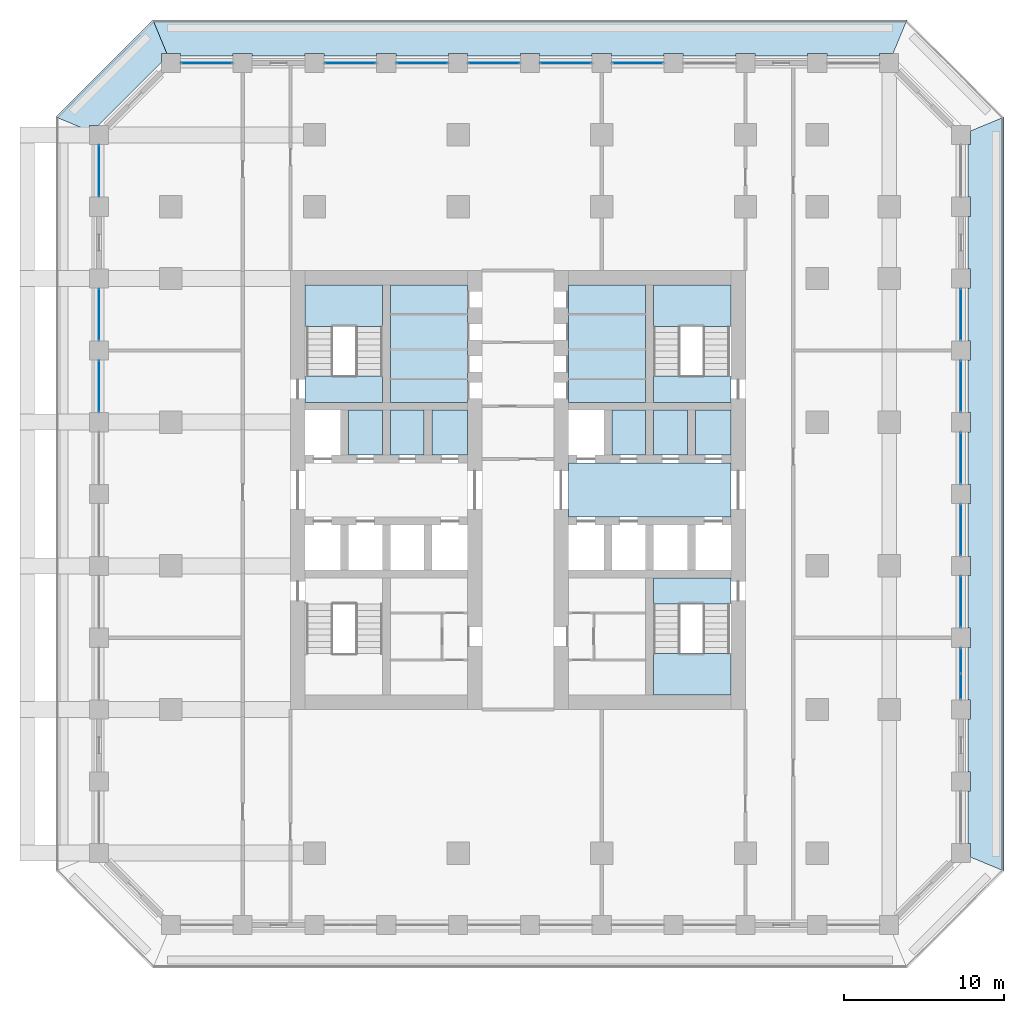
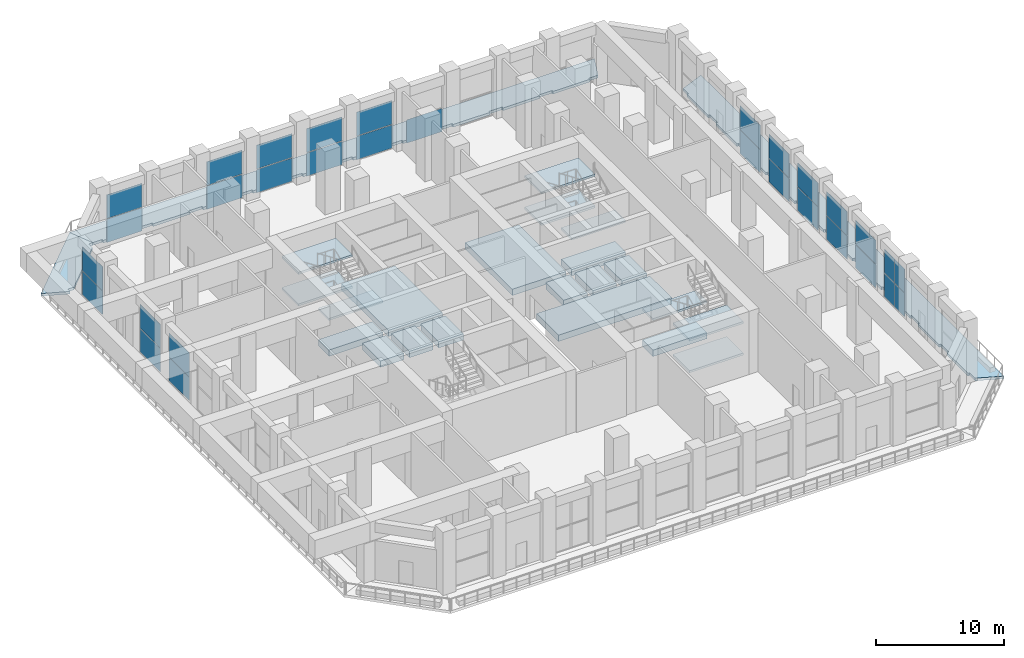
# One storey, part 11 of 24: 31 plates, 24 slabs, 18 elements without a shape of their own.
"""IFC4 building model written with IfcOpenShell, lengths in metres."""

import ifcopenshell
import ifcopenshell.guid

model = None  # the IFC model being written
_history = None  # IfcOwnerHistory: only IFC2X3 demands one
_inside = {}  # id of a spatial element -> (the spatial element, [elements in it])
_under = {}  # id of a project, library or spatial element -> (it, [spatial elements below it])
_declared = {}  # id of a project -> (the project, [libraries it declares])
_typed = {}  # id of a type object -> (the type object, [elements of that type])
_made_of = {}  # id of a material, layer set ... -> (it, [elements and type objects made of it])


def new_model(schema):
    """Start an empty IFC model of exactly this schema.

    Asked for "IFC4X3", IfcOpenShell would pick the latest addendum, in which some entities
    have other attributes; the version numbers below select the first issue.
    IFC2X3 requires an IfcOwnerHistory on every rooted entity: one is made here for all.
    """
    global model, _history
    if schema == "IFC4X3":
        model = ifcopenshell.file(schema_version=(4, 3, 0, 0))
    else:
        model = ifcopenshell.file(schema=schema)
    _inside.clear()
    _under.clear()
    _declared.clear()
    _typed.clear()
    _made_of.clear()
    _history = None
    if model.schema == "IFC2X3":
        org = make("IfcOrganization", Name="unknown")
        user = make(
            "IfcPersonAndOrganization",
            ThePerson=make("IfcPerson", FamilyName="unknown"),
            TheOrganization=org,
        )
        app = make(
            "IfcApplication",
            ApplicationDeveloper=org,
            Version="unknown",
            ApplicationFullName="unknown",
            ApplicationIdentifier="unknown",
        )
        _history = make(
            "IfcOwnerHistory",
            OwningUser=user,
            OwningApplication=app,
            ChangeAction="ADDED",
            CreationDate=0,
        )
    return model


def make(cls, **values):
    """One entity of the class cls with the attributes given. An attribute that is None is left unset."""
    return model.create_entity(
        cls, **{name: value for name, value in values.items() if value is not None}
    )


def rooted(cls, **values):
    """An entity with a GlobalId (a new one), such as an element, a storey or a relation."""
    return make(cls, GlobalId=ifcopenshell.guid.new(), OwnerHistory=_history, **values)


def si_unit(unit_type, name, prefix=None):
    """IfcSIUnit, for example si_unit("LENGTHUNIT", "METRE", prefix="MILLI")."""
    return make("IfcSIUnit", UnitType=unit_type, Prefix=prefix, Name=name)


def assignment(units):
    """IfcUnitAssignment: the units of a project."""
    return None if units is None else make("IfcUnitAssignment", Units=units)


def point(xyz):
    """IfcCartesianPoint."""
    return None if xyz is None else make("IfcCartesianPoint", Coordinates=xyz)


def direction(xyz):
    """IfcDirection."""
    return None if xyz is None else make("IfcDirection", DirectionRatios=xyz)


def frame(location, z_axis=None, x_axis=None):
    """IfcAxis2Placement3D, a coordinate frame: its origin and axes. An axis left out is left unset."""
    return make(
        "IfcAxis2Placement3D",
        Location=point(location),
        Axis=direction(z_axis),
        RefDirection=direction(x_axis),
    )


def frame_2d(location, x_axis=None):
    """IfcAxis2Placement2D, a coordinate frame in the plane: its origin and x axis."""
    return make(
        "IfcAxis2Placement2D", Location=point(location), RefDirection=direction(x_axis)
    )


def origin():
    """The frame at (0, 0, 0) with its axes left unset."""
    return frame((0.0, 0.0, 0.0))


def origin_2d():
    """The frame at (0, 0) in the plane with its x axis left unset."""
    return frame_2d((0.0, 0.0))


def place(relative_to, where):
    """IfcLocalPlacement: puts the frame where relative to a parent placement (None: the world)."""
    return make(
        "IfcLocalPlacement", PlacementRelTo=relative_to, RelativePlacement=where
    )


def context(
    kind, dimensions, precision=None, world=None, true_north=None, identifier=None
):
    """IfcGeometricRepresentationContext, for example the 3D "Model" context."""
    return make(
        "IfcGeometricRepresentationContext",
        ContextIdentifier=identifier,
        ContextType=kind,
        CoordinateSpaceDimension=dimensions,
        Precision=precision,
        WorldCoordinateSystem=world,
        TrueNorth=true_north,
    )


def subcontext(parent, identifier, kind, view, scale=None):
    """IfcGeometricRepresentationSubContext, for example "Body" below "Model"."""
    return make(
        "IfcGeometricRepresentationSubContext",
        ContextIdentifier=identifier,
        ContextType=kind,
        ParentContext=parent,
        TargetScale=scale,
        TargetView=view,
    )


def project(units=None, contexts=None):
    """IfcProject with its units and contexts."""
    return rooted(
        "IfcProject",
        Name="project",
        RepresentationContexts=contexts,
        UnitsInContext=assignment(units),
    )


def spatial(cls, under=None, at=None, **own):
    """A site, building, storey or space (cls), placed at a placement, below another one or the project."""
    s = rooted(cls, ObjectPlacement=at, **own)
    if under is not None:
        _under.setdefault(under.id(), (under, []))[1].append(s)
    return s


def polyline(points):
    """IfcPolyline through the points."""
    return make("IfcPolyline", Points=[point(p) for p in points])


def profile(cls, at=None, kind="AREA", **sizes):
    """A parametric profile (cls). Its sizes go by their IFC names, for example OverallWidth=200.0."""
    return make(cls, ProfileType=kind, Position=at, **sizes)


def rectangle(**sizes):
    """IfcRectangleProfileDef."""
    return profile("IfcRectangleProfileDef", **sizes)


def outline(outer, holes=None, kind="AREA"):
    """IfcArbitraryClosedProfileDef: a profile drawn as a closed curve; with holes, ...WithVoids."""
    if holes is None:
        return make("IfcArbitraryClosedProfileDef", ProfileType=kind, OuterCurve=outer)
    return make(
        "IfcArbitraryProfileDefWithVoids",
        ProfileType=kind,
        OuterCurve=outer,
        InnerCurves=holes,
    )


def extrude(swept, where, along, depth):
    """IfcExtrudedAreaSolid: the profile swept, set in the frame where, extruded along a direction by depth."""
    return make(
        "IfcExtrudedAreaSolid",
        SweptArea=swept,
        Position=where,
        ExtrudedDirection=direction(along),
        Depth=depth,
    )


def shape(context_of_items, identifier, shape_type, items):
    """IfcShapeRepresentation: the items that make up one representation, for example the "Body"."""
    return make(
        "IfcShapeRepresentation",
        ContextOfItems=context_of_items,
        RepresentationIdentifier=identifier,
        RepresentationType=shape_type,
        Items=items,
    )


def material(Name=None, Category=None):
    """IfcMaterial."""
    return make("IfcMaterial", Name=Name, Category=Category)


def layer(
    of_material, thickness, ventilated=None, Name=None, Category=None, Priority=None
):
    """IfcMaterialLayer: one layer of a wall or slab, of a material (None: an air gap)."""
    return make(
        "IfcMaterialLayer",
        Material=of_material,
        LayerThickness=thickness,
        IsVentilated=ventilated,
        Name=Name,
        Category=Category,
        Priority=Priority,
    )


def layer_set(layers, Name=None):
    """IfcMaterialLayerSet."""
    return make("IfcMaterialLayerSet", MaterialLayers=layers, LayerSetName=Name)


def made_of(thing, what):
    """Note that an element or type object is made of a material, layer set ...; save() writes the relation."""
    if what is not None:
        _made_of.setdefault(what.id(), (what, []))[1].append(thing)
    return thing


def type_object(cls, material=None, **own):
    """A type object (cls), such as IfcWallType, which elements share."""
    return made_of(rooted(cls, **own), material)


def element(
    cls,
    number,
    at=None,
    inside=None,
    cuts=None,
    type_object=None,
    material=None,
    context=None,
    identifier="Body",
    shape_type=None,
    held_by="IfcProductDefinitionShape",
    body=None,
    shapes=None,
    **own,
):
    """One element of the class cls, such as IfcWall. Its Tag is "e" and its number.

    at: its placement. inside: the storey or other place that contains it. cuts: it is an
    opening in that element (IfcRelVoidsElement). A single representation is given by context,
    identifier, shape_type and body (its items); several are given by shapes. held_by: the class
    of the entity that holds the representations. save() writes the other relations.
    """
    e = rooted(cls, Tag="e%d" % number, ObjectPlacement=at, **own)
    if body is not None:
        shapes = [shape(context, identifier, shape_type, body)]
    if shapes is not None:
        e.Representation = make(held_by, Representations=shapes)
    if inside is not None:
        _inside.setdefault(inside.id(), (inside, []))[1].append(e)
    if cuts is not None:
        rooted(
            "IfcRelVoidsElement", RelatingBuildingElement=cuts, RelatedOpeningElement=e
        )
    if type_object is not None:
        _typed.setdefault(type_object.id(), (type_object, []))[1].append(e)
    return made_of(e, material)


def aggregate(whole, parts):
    """IfcRelAggregates: a whole, such as a stair, and the parts it consists of."""
    return rooted("IfcRelAggregates", RelatingObject=whole, RelatedObjects=parts)


def save(model, path):
    """Write the relations noted so far, then the file.

    IfcRelAggregates (storeys below a building ...), IfcRelContainedInSpatialStructure (elements
    in a storey), IfcRelDefinesByType, IfcRelAssociatesMaterial and IfcRelDeclares: one each for
    every whole, place, type object, material and project.
    """
    for whole, parts in _under.values():
        aggregate(whole, parts)
    for where, things in _inside.values():
        rooted(
            "IfcRelContainedInSpatialStructure",
            RelatedElements=things,
            RelatingStructure=where,
        )
    for kind, things in _typed.values():
        rooted("IfcRelDefinesByType", RelatedObjects=things, RelatingType=kind)
    for what, things in _made_of.values():
        rooted("IfcRelAssociatesMaterial", RelatedObjects=things, RelatingMaterial=what)
    for by, libraries in _declared.values():
        rooted("IfcRelDeclares", RelatingContext=by, RelatedDefinitions=libraries)
    model.write(path)


model = new_model("IFC4")

# Units and contexts
model_context = context("Model", 3, precision=1e-05, world=origin(), true_north=direction((0.0, 1.0)))
body_context = subcontext(model_context, "Body", "Model", "MODEL_VIEW")
ifc_project = project(units=[si_unit("LENGTHUNIT", "METRE"), si_unit("AREAUNIT", "SQUARE_METRE"), si_unit("VOLUMEUNIT", "CUBIC_METRE"), si_unit("PLANEANGLEUNIT", "RADIAN"), si_unit("MASSUNIT", "GRAM", prefix="KILO")], contexts=[model_context])

# Site, building, storey
site_placement = place(None, origin())
site = spatial("IfcSite", under=ifc_project, at=site_placement, CompositionType="ELEMENT")
building_placement = place(site_placement, origin())
building = spatial("IfcBuilding", under=site, at=building_placement, Name="Corbel Stack Research Tower", CompositionType="ELEMENT")
storey_placement = place(building_placement, frame((0.0, 0.0, 110.699951171875)))
storey = spatial("IfcBuildingStorey", under=building, at=storey_placement, Name="L25", CompositionType="ELEMENT", Elevation=110.699951171875)

# Curtain wall, plates
ifc_material_1 = material(Name="Aluminium frame, clear glass", Category="aluminium")
curtain_wall_type = type_object("IfcCurtainWallType", Name="Amenity floor curtain wall CW2", PredefinedType="NOTDEFINED", material=ifc_material_1)
curtain_wall_1_placement = place(storey_placement, origin())
curtain_wall_1 = element("IfcCurtainWall", 1, at=curtain_wall_1_placement, inside=storey, type_object=curtain_wall_type, Name="Curtain wall CW2 L25 E03", PredefinedType="NOTDEFINED")
ifc_material_2 = material(Name="Clear glass", Category="glass")
ifc_layer_1 = layer(ifc_material_2, 0.028076171875)
ifc_layer_set_1 = layer_set([ifc_layer_1], Name="Clear glass")
plate_type = type_object("IfcPlateType", Name="Clear glazing 28", PredefinedType="CURTAIN_PANEL", material=ifc_layer_set_1)
plate_1_placement = place(storey_placement, frame((31.5, -7.56005859375, 0.06005859375), z_axis=(0.0, 0.0, 1.0), x_axis=(0.0, 1.0, 0.0)))
plate_1 = element("IfcPlate", 2, at=plate_1_placement, type_object=plate_type, Name="CW2 L25 E03 panel 1.1", PredefinedType="CURTAIN_PANEL", context=body_context, shape_type="SweptSolid", body=[
    extrude(rectangle(XDim=1.56005859375, YDim=0.028076171875, at=origin_2d()), origin(), (0.0, 0.0, 1.0), 2.2099609375),
])
plate_2_placement = place(storey_placement, frame((31.5, -7.56005859375, 2.330078125), z_axis=(0.0, 0.0, 1.0), x_axis=(0.0, 1.0, 0.0)))
plate_2 = element("IfcPlate", 3, at=plate_2_placement, type_object=plate_type, Name="CW2 L25 E03 panel 1.2", PredefinedType="CURTAIN_PANEL", context=body_context, shape_type="SweptSolid", body=[
    extrude(rectangle(XDim=1.56005859375, YDim=0.028076171875, at=origin_2d()), origin(), (0.0, 0.0, 1.0), 2.260009765625),
])
plate_3_placement = place(storey_placement, frame((31.5, -5.93994140625, 0.06005859375), z_axis=(0.0, 0.0, 1.0), x_axis=(0.0, 1.0, 0.0)))
plate_3 = element("IfcPlate", 4, at=plate_3_placement, type_object=plate_type, Name="CW2 L25 E03 panel 2.1", PredefinedType="CURTAIN_PANEL", context=body_context, shape_type="SweptSolid", body=[
    extrude(rectangle(XDim=1.56005859375, YDim=0.028076171875, at=origin_2d()), origin(), (0.0, 0.0, 1.0), 2.2099609375),
])
plate_4_placement = place(storey_placement, frame((31.5, -5.93994140625, 2.330078125), z_axis=(0.0, 0.0, 1.0), x_axis=(0.0, 1.0, 0.0)))
plate_4 = element("IfcPlate", 5, at=plate_4_placement, type_object=plate_type, Name="CW2 L25 E03 panel 2.2", PredefinedType="CURTAIN_PANEL", context=body_context, shape_type="SweptSolid", body=[
    extrude(rectangle(XDim=1.56005859375, YDim=0.028076171875, at=origin_2d()), origin(), (0.0, 0.0, 1.0), 2.260009765625),
])
aggregate(curtain_wall_1, [plate_1, plate_2, plate_3, plate_4])

curtain_wall_2_placement = place(storey_placement, origin())
curtain_wall_2 = element("IfcCurtainWall", 6, at=curtain_wall_2_placement, inside=storey, type_object=curtain_wall_type, Name="Curtain wall CW2 L25 E04", PredefinedType="NOTDEFINED")
plate_5_placement = place(storey_placement, frame((31.5, -2.25, 0.06005859375), z_axis=(0.0, 0.0, 1.0), x_axis=(0.0, 1.0, 0.0)))
plate_5 = element("IfcPlate", 7, at=plate_5_placement, type_object=plate_type, Name="CW2 L25 E04 panel 1.1", PredefinedType="CURTAIN_PANEL", context=body_context, shape_type="SweptSolid", body=[
    extrude(rectangle(XDim=3.179931640625, YDim=0.028076171875, at=origin_2d()), origin(), (0.0, 0.0, 1.0), 2.2099609375),
])
plate_6_placement = place(storey_placement, frame((31.5, -2.25, 2.330078125), z_axis=(0.0, 0.0, 1.0), x_axis=(0.0, 1.0, 0.0)))
plate_6 = element("IfcPlate", 8, at=plate_6_placement, type_object=plate_type, Name="CW2 L25 E04 panel 1.2", PredefinedType="CURTAIN_PANEL", context=body_context, shape_type="SweptSolid", body=[
    extrude(rectangle(XDim=3.179931640625, YDim=0.028076171875, at=origin_2d()), origin(), (0.0, 0.0, 1.0), 2.260009765625),
])
aggregate(curtain_wall_2, [plate_5, plate_6])

curtain_wall_3_placement = place(storey_placement, origin())
curtain_wall_3 = element("IfcCurtainWall", 9, at=curtain_wall_3_placement, inside=storey, type_object=curtain_wall_type, Name="Curtain wall CW2 L25 E05", PredefinedType="NOTDEFINED")
plate_7_placement = place(storey_placement, frame((31.5, 2.25, 0.06005859375), z_axis=(0.0, 0.0, 1.0), x_axis=(0.0, 1.0, 0.0)))
plate_7 = element("IfcPlate", 10, at=plate_7_placement, type_object=plate_type, Name="CW2 L25 E05 panel 1.1", PredefinedType="CURTAIN_PANEL", context=body_context, shape_type="SweptSolid", body=[
    extrude(rectangle(XDim=3.179931640625, YDim=0.028076171875, at=origin_2d()), origin(), (0.0, 0.0, 1.0), 2.2099609375),
])
plate_8_placement = place(storey_placement, frame((31.5, 2.25, 2.330078125), z_axis=(0.0, 0.0, 1.0), x_axis=(0.0, 1.0, 0.0)))
plate_8 = element("IfcPlate", 11, at=plate_8_placement, type_object=plate_type, Name="CW2 L25 E05 panel 1.2", PredefinedType="CURTAIN_PANEL", context=body_context, shape_type="SweptSolid", body=[
    extrude(rectangle(XDim=3.179931640625, YDim=0.028076171875, at=origin_2d()), origin(), (0.0, 0.0, 1.0), 2.260009765625),
])
aggregate(curtain_wall_3, [plate_7, plate_8])

curtain_wall_4_placement = place(storey_placement, origin())
curtain_wall_4 = element("IfcCurtainWall", 12, at=curtain_wall_4_placement, inside=storey, type_object=curtain_wall_type, Name="Curtain wall CW2 L25 E06", PredefinedType="NOTDEFINED")
plate_9_placement = place(storey_placement, frame((31.5, 6.75, 0.06005859375), z_axis=(0.0, 0.0, 1.0), x_axis=(0.0, 1.0, 0.0)))
plate_9 = element("IfcPlate", 13, at=plate_9_placement, type_object=plate_type, Name="CW2 L25 E06 panel 1.1", PredefinedType="CURTAIN_PANEL", context=body_context, shape_type="SweptSolid", body=[
    extrude(rectangle(XDim=3.179931640625, YDim=0.028076171875, at=origin_2d()), origin(), (0.0, 0.0, 1.0), 2.2099609375),
])
plate_10_placement = place(storey_placement, frame((31.5, 6.75, 2.330078125), z_axis=(0.0, 0.0, 1.0), x_axis=(0.0, 1.0, 0.0)))
plate_10 = element("IfcPlate", 14, at=plate_10_placement, type_object=plate_type, Name="CW2 L25 E06 panel 1.2", PredefinedType="CURTAIN_PANEL", context=body_context, shape_type="SweptSolid", body=[
    extrude(rectangle(XDim=3.179931640625, YDim=0.028076171875, at=origin_2d()), origin(), (0.0, 0.0, 1.0), 2.260009765625),
])
aggregate(curtain_wall_4, [plate_9, plate_10])

curtain_wall_5_placement = place(storey_placement, origin())
curtain_wall_5 = element("IfcCurtainWall", 15, at=curtain_wall_5_placement, inside=storey, type_object=curtain_wall_type, Name="Curtain wall CW2 L25 E07", PredefinedType="NOTDEFINED")
plate_11_placement = place(storey_placement, frame((31.5, 11.25, 0.06005859375), z_axis=(0.0, 0.0, 1.0), x_axis=(0.0, 1.0, 0.0)))
plate_11 = element("IfcPlate", 16, at=plate_11_placement, type_object=plate_type, Name="CW2 L25 E07 panel 1.1", PredefinedType="CURTAIN_PANEL", context=body_context, shape_type="SweptSolid", body=[
    extrude(rectangle(XDim=3.179931640625, YDim=0.028076171875, at=origin_2d()), origin(), (0.0, 0.0, 1.0), 2.2099609375),
])
plate_12_placement = place(storey_placement, frame((31.5, 11.25, 2.330078125), z_axis=(0.0, 0.0, 1.0), x_axis=(0.0, 1.0, 0.0)))
plate_12 = element("IfcPlate", 17, at=plate_12_placement, type_object=plate_type, Name="CW2 L25 E07 panel 1.2", PredefinedType="CURTAIN_PANEL", context=body_context, shape_type="SweptSolid", body=[
    extrude(rectangle(XDim=3.179931640625, YDim=0.028076171875, at=origin_2d()), origin(), (0.0, 0.0, 1.0), 2.260009765625),
])
aggregate(curtain_wall_5, [plate_11, plate_12])

curtain_wall_6_placement = place(storey_placement, origin())
curtain_wall_6 = element("IfcCurtainWall", 18, at=curtain_wall_6_placement, inside=storey, type_object=curtain_wall_type, Name="Curtain wall CW2 L25 E08", PredefinedType="NOTDEFINED")
plate_13_placement = place(storey_placement, frame((31.5, 15.75, 0.06005859375), z_axis=(0.0, 0.0, 1.0), x_axis=(0.0, 1.0, 0.0)))
plate_13 = element("IfcPlate", 19, at=plate_13_placement, type_object=plate_type, Name="CW2 L25 E08 panel 1.1", PredefinedType="CURTAIN_PANEL", context=body_context, shape_type="SweptSolid", body=[
    extrude(rectangle(XDim=3.179931640625, YDim=0.028076171875, at=origin_2d()), origin(), (0.0, 0.0, 1.0), 2.2099609375),
])
plate_14_placement = place(storey_placement, frame((31.5, 15.75, 2.330078125), z_axis=(0.0, 0.0, 1.0), x_axis=(0.0, 1.0, 0.0)))
plate_14 = element("IfcPlate", 20, at=plate_14_placement, type_object=plate_type, Name="CW2 L25 E08 panel 1.2", PredefinedType="CURTAIN_PANEL", context=body_context, shape_type="SweptSolid", body=[
    extrude(rectangle(XDim=3.179931640625, YDim=0.028076171875, at=origin_2d()), origin(), (0.0, 0.0, 1.0), 2.260009765625),
])
aggregate(curtain_wall_6, [plate_13, plate_14])

# Curtain wall, plate
curtain_wall_7_placement = place(storey_placement, origin())
curtain_wall_7 = element("IfcCurtainWall", 21, at=curtain_wall_7_placement, inside=storey, type_object=curtain_wall_type, Name="Curtain wall CW2 L25 N04", PredefinedType="NOTDEFINED")
plate_15_placement = place(storey_placement, frame((11.25, 31.5, 0.06005859375), z_axis=(0.0, 0.0, 1.0), x_axis=(-1.0, 0.0, 0.0)))
plate_15 = element("IfcPlate", 22, at=plate_15_placement, type_object=plate_type, Name="CW2 L25 N04 panel 1.1", PredefinedType="CURTAIN_PANEL", context=body_context, shape_type="SweptSolid", body=[
    extrude(rectangle(XDim=3.179931640625, YDim=0.028076171875, at=origin_2d()), origin(), (0.0, 0.0, 1.0), 2.2099609375),
])
aggregate(curtain_wall_7, [plate_15])

# Curtain wall, plates
curtain_wall_8_placement = place(storey_placement, origin())
curtain_wall_8 = element("IfcCurtainWall", 23, at=curtain_wall_8_placement, inside=storey, type_object=curtain_wall_type, Name="Curtain wall CW2 L25 N05", PredefinedType="NOTDEFINED")
plate_16_placement = place(storey_placement, frame((6.75, 31.5, 0.06005859375), z_axis=(0.0, 0.0, 1.0), x_axis=(-1.0, 0.0, 0.0)))
plate_16 = element("IfcPlate", 24, at=plate_16_placement, type_object=plate_type, Name="CW2 L25 N05 panel 1.1", PredefinedType="CURTAIN_PANEL", context=body_context, shape_type="SweptSolid", body=[
    extrude(rectangle(XDim=3.179931640625, YDim=0.028076171875, at=origin_2d()), origin(), (0.0, 0.0, 1.0), 2.2099609375),
])
plate_17_placement = place(storey_placement, frame((6.75, 31.5, 2.330078125), z_axis=(0.0, 0.0, 1.0), x_axis=(-1.0, 0.0, 0.0)))
plate_17 = element("IfcPlate", 25, at=plate_17_placement, type_object=plate_type, Name="CW2 L25 N05 panel 1.2", PredefinedType="CURTAIN_PANEL", context=body_context, shape_type="SweptSolid", body=[
    extrude(rectangle(XDim=3.179931640625, YDim=0.028076171875, at=origin_2d()), origin(), (0.0, 0.0, 1.0), 2.260009765625),
])
aggregate(curtain_wall_8, [plate_16, plate_17])

curtain_wall_9_placement = place(storey_placement, origin())
curtain_wall_9 = element("IfcCurtainWall", 26, at=curtain_wall_9_placement, inside=storey, type_object=curtain_wall_type, Name="Curtain wall CW2 L25 N06", PredefinedType="NOTDEFINED")
plate_18_placement = place(storey_placement, frame((2.25, 31.5, 0.06005859375), z_axis=(0.0, 0.0, 1.0), x_axis=(-1.0, 0.0, 0.0)))
plate_18 = element("IfcPlate", 27, at=plate_18_placement, type_object=plate_type, Name="CW2 L25 N06 panel 1.1", PredefinedType="CURTAIN_PANEL", context=body_context, shape_type="SweptSolid", body=[
    extrude(rectangle(XDim=3.179931640625, YDim=0.028076171875, at=origin_2d()), origin(), (0.0, 0.0, 1.0), 2.2099609375),
])
plate_19_placement = place(storey_placement, frame((2.25, 31.5, 2.330078125), z_axis=(0.0, 0.0, 1.0), x_axis=(-1.0, 0.0, 0.0)))
plate_19 = element("IfcPlate", 28, at=plate_19_placement, type_object=plate_type, Name="CW2 L25 N06 panel 1.2", PredefinedType="CURTAIN_PANEL", context=body_context, shape_type="SweptSolid", body=[
    extrude(rectangle(XDim=3.179931640625, YDim=0.028076171875, at=origin_2d()), origin(), (0.0, 0.0, 1.0), 2.260009765625),
])
aggregate(curtain_wall_9, [plate_18, plate_19])

curtain_wall_10_placement = place(storey_placement, origin())
curtain_wall_10 = element("IfcCurtainWall", 29, at=curtain_wall_10_placement, inside=storey, type_object=curtain_wall_type, Name="Curtain wall CW2 L25 N07", PredefinedType="NOTDEFINED")
plate_20_placement = place(storey_placement, frame((-2.25, 31.5, 0.06005859375), z_axis=(0.0, 0.0, 1.0), x_axis=(-1.0, 0.0, 0.0)))
plate_20 = element("IfcPlate", 30, at=plate_20_placement, type_object=plate_type, Name="CW2 L25 N07 panel 1.1", PredefinedType="CURTAIN_PANEL", context=body_context, shape_type="SweptSolid", body=[
    extrude(rectangle(XDim=3.179931640625, YDim=0.028076171875, at=origin_2d()), origin(), (0.0, 0.0, 1.0), 2.2099609375),
])
plate_21_placement = place(storey_placement, frame((-2.25, 31.5, 2.330078125), z_axis=(0.0, 0.0, 1.0), x_axis=(-1.0, 0.0, 0.0)))
plate_21 = element("IfcPlate", 31, at=plate_21_placement, type_object=plate_type, Name="CW2 L25 N07 panel 1.2", PredefinedType="CURTAIN_PANEL", context=body_context, shape_type="SweptSolid", body=[
    extrude(rectangle(XDim=3.179931640625, YDim=0.028076171875, at=origin_2d()), origin(), (0.0, 0.0, 1.0), 2.260009765625),
])
aggregate(curtain_wall_10, [plate_20, plate_21])

curtain_wall_11_placement = place(storey_placement, origin())
curtain_wall_11 = element("IfcCurtainWall", 32, at=curtain_wall_11_placement, inside=storey, type_object=curtain_wall_type, Name="Curtain wall CW2 L25 N08", PredefinedType="NOTDEFINED")
plate_22_placement = place(storey_placement, frame((-6.75, 31.5, 0.06005859375), z_axis=(0.0, 0.0, 1.0), x_axis=(-1.0, 0.0, 0.0)))
plate_22 = element("IfcPlate", 33, at=plate_22_placement, type_object=plate_type, Name="CW2 L25 N08 panel 1.1", PredefinedType="CURTAIN_PANEL", context=body_context, shape_type="SweptSolid", body=[
    extrude(rectangle(XDim=3.179931640625, YDim=0.028076171875, at=origin_2d()), origin(), (0.0, 0.0, 1.0), 2.2099609375),
])
plate_23_placement = place(storey_placement, frame((-6.75, 31.5, 2.330078125), z_axis=(0.0, 0.0, 1.0), x_axis=(-1.0, 0.0, 0.0)))
plate_23 = element("IfcPlate", 34, at=plate_23_placement, type_object=plate_type, Name="CW2 L25 N08 panel 1.2", PredefinedType="CURTAIN_PANEL", context=body_context, shape_type="SweptSolid", body=[
    extrude(rectangle(XDim=3.179931640625, YDim=0.028076171875, at=origin_2d()), origin(), (0.0, 0.0, 1.0), 2.260009765625),
])
aggregate(curtain_wall_11, [plate_22, plate_23])

curtain_wall_12_placement = place(storey_placement, origin())
curtain_wall_12 = element("IfcCurtainWall", 35, at=curtain_wall_12_placement, inside=storey, type_object=curtain_wall_type, Name="Curtain wall CW2 L25 N10", PredefinedType="NOTDEFINED")
plate_24_placement = place(storey_placement, frame((-15.75, 31.5, 0.06005859375), z_axis=(0.0, 0.0, 1.0), x_axis=(-1.0, 0.0, 0.0)))
plate_24 = element("IfcPlate", 36, at=plate_24_placement, type_object=plate_type, Name="CW2 L25 N10 panel 1.1", PredefinedType="CURTAIN_PANEL", context=body_context, shape_type="SweptSolid", body=[
    extrude(rectangle(XDim=3.179931640625, YDim=0.028076171875, at=origin_2d()), origin(), (0.0, 0.0, 1.0), 2.2099609375),
])
plate_25_placement = place(storey_placement, frame((-15.75, 31.5, 2.330078125), z_axis=(0.0, 0.0, 1.0), x_axis=(-1.0, 0.0, 0.0)))
plate_25 = element("IfcPlate", 37, at=plate_25_placement, type_object=plate_type, Name="CW2 L25 N10 panel 1.2", PredefinedType="CURTAIN_PANEL", context=body_context, shape_type="SweptSolid", body=[
    extrude(rectangle(XDim=3.179931640625, YDim=0.028076171875, at=origin_2d()), origin(), (0.0, 0.0, 1.0), 2.260009765625),
])
aggregate(curtain_wall_12, [plate_24, plate_25])

curtain_wall_13_placement = place(storey_placement, origin())
curtain_wall_13 = element("IfcCurtainWall", 38, at=curtain_wall_13_placement, inside=storey, type_object=curtain_wall_type, Name="Curtain wall CW2 L25 W01", PredefinedType="NOTDEFINED")
plate_26_placement = place(storey_placement, frame((-22.5, 24.75, 0.06005859375), z_axis=(0.0, 0.0, 1.0), x_axis=(0.0, -1.0, 0.0)))
plate_26 = element("IfcPlate", 39, at=plate_26_placement, type_object=plate_type, Name="CW2 L25 W01 panel 1.1", PredefinedType="CURTAIN_PANEL", context=body_context, shape_type="SweptSolid", body=[
    extrude(rectangle(XDim=3.179931640625, YDim=0.028076171875, at=origin_2d()), origin(), (0.0, 0.0, 1.0), 2.2099609375),
])
plate_27_placement = place(storey_placement, frame((-22.5, 24.75, 2.330078125), z_axis=(0.0, 0.0, 1.0), x_axis=(0.0, -1.0, 0.0)))
plate_27 = element("IfcPlate", 40, at=plate_27_placement, type_object=plate_type, Name="CW2 L25 W01 panel 1.2", PredefinedType="CURTAIN_PANEL", context=body_context, shape_type="SweptSolid", body=[
    extrude(rectangle(XDim=3.179931640625, YDim=0.028076171875, at=origin_2d()), origin(), (0.0, 0.0, 1.0), 2.260009765625),
])
aggregate(curtain_wall_13, [plate_26, plate_27])

curtain_wall_14_placement = place(storey_placement, origin())
curtain_wall_14 = element("IfcCurtainWall", 41, at=curtain_wall_14_placement, inside=storey, type_object=curtain_wall_type, Name="Curtain wall CW2 L25 W03", PredefinedType="NOTDEFINED")
plate_28_placement = place(storey_placement, frame((-22.5, 15.75, 0.06005859375), z_axis=(0.0, 0.0, 1.0), x_axis=(0.0, -1.0, 0.0)))
plate_28 = element("IfcPlate", 42, at=plate_28_placement, type_object=plate_type, Name="CW2 L25 W03 panel 1.1", PredefinedType="CURTAIN_PANEL", context=body_context, shape_type="SweptSolid", body=[
    extrude(rectangle(XDim=3.179931640625, YDim=0.028076171875, at=origin_2d()), origin(), (0.0, 0.0, 1.0), 2.2099609375),
])
plate_29_placement = place(storey_placement, frame((-22.5, 15.75, 2.330078125), z_axis=(0.0, 0.0, 1.0), x_axis=(0.0, -1.0, 0.0)))
plate_29 = element("IfcPlate", 43, at=plate_29_placement, type_object=plate_type, Name="CW2 L25 W03 panel 1.2", PredefinedType="CURTAIN_PANEL", context=body_context, shape_type="SweptSolid", body=[
    extrude(rectangle(XDim=3.179931640625, YDim=0.028076171875, at=origin_2d()), origin(), (0.0, 0.0, 1.0), 2.260009765625),
])
aggregate(curtain_wall_14, [plate_28, plate_29])

curtain_wall_15_placement = place(storey_placement, origin())
curtain_wall_15 = element("IfcCurtainWall", 44, at=curtain_wall_15_placement, inside=storey, type_object=curtain_wall_type, Name="Curtain wall CW2 L25 W04", PredefinedType="NOTDEFINED")
plate_30_placement = place(storey_placement, frame((-22.5, 11.25, 0.06005859375), z_axis=(0.0, 0.0, 1.0), x_axis=(0.0, -1.0, 0.0)))
plate_30 = element("IfcPlate", 45, at=plate_30_placement, type_object=plate_type, Name="CW2 L25 W04 panel 1.1", PredefinedType="CURTAIN_PANEL", context=body_context, shape_type="SweptSolid", body=[
    extrude(rectangle(XDim=3.179931640625, YDim=0.028076171875, at=origin_2d()), origin(), (0.0, 0.0, 1.0), 2.2099609375),
])
plate_31_placement = place(storey_placement, frame((-22.5, 11.25, 2.330078125), z_axis=(0.0, 0.0, 1.0), x_axis=(0.0, -1.0, 0.0)))
plate_31 = element("IfcPlate", 46, at=plate_31_placement, type_object=plate_type, Name="CW2 L25 W04 panel 1.2", PredefinedType="CURTAIN_PANEL", context=body_context, shape_type="SweptSolid", body=[
    extrude(rectangle(XDim=3.179931640625, YDim=0.028076171875, at=origin_2d()), origin(), (0.0, 0.0, 1.0), 2.260009765625),
])
aggregate(curtain_wall_15, [plate_30, plate_31])

# Slabs
ifc_material_3 = material(Name="Concrete C45/55", Category="concrete")
ifc_layer_2 = layer(ifc_material_3, 0.25)
ifc_layer_set_2 = layer_set([ifc_layer_2], Name="Concrete C45/55")
slab_type_1 = type_object("IfcSlabType", Name="PT balcony slab 250 C45/55", PredefinedType="FLOOR", material=ifc_layer_set_2)
slab_1_placement = place(storey_placement, frame((0.0, 0.0, -0.25)))
element("IfcSlab", 47, at=slab_1_placement, inside=storey, type_object=slab_type_1, Name="Loggia slab L25 E", PredefinedType="FLOOR", context=body_context, shape_type="SweptSolid", body=[
    extrude(outline(polyline([(32.10009765625, 27.24853515625), (32.10009765625, 26.39990234375), (31.949951171875, 26.39990234375), (31.949951171875, 23.10009765625), (32.10009765625, 23.10009765625), (32.10009765625, 21.89990234375), (31.949951171875, 21.89990234375), (31.949951171875, 18.60009765625), (32.10009765625, 18.60009765625), (32.10009765625, 17.39990234375), (31.949951171875, 17.39990234375), (31.949951171875, 14.10009765625), (32.10009765625, 14.10009765625), (32.10009765625, 12.89990234375), (31.949951171875, 12.89990234375), (31.949951171875, 9.60009765625), (32.10009765625, 9.60009765625), (32.10009765625, 8.39990234375), (31.949951171875, 8.39990234375), (31.949951171875, 5.10009765625), (32.10009765625, 5.10009765625), (32.10009765625, 3.89990234375), (31.949951171875, 3.89990234375), (31.949951171875, 0.60009765625), (32.10009765625, 0.60009765625), (32.10009765625, -0.60009765625), (31.949951171875, -0.60009765625), (31.949951171875, -3.89990234375), (32.10009765625, -3.89990234375), (32.10009765625, -5.10009765625), (31.949951171875, -5.10009765625), (31.949951171875, -8.39990234375), (32.10009765625, -8.39990234375), (32.10009765625, -9.60009765625), (31.949951171875, -9.60009765625), (31.949951171875, -12.89990234375), (32.10009765625, -12.89990234375), (32.10009765625, -14.10009765625), (31.949951171875, -14.10009765625), (31.949951171875, -17.39990234375), (32.10009765625, -17.39990234375), (32.10009765625, -18.24853515625), (34.199951171875, -19.118408203125), (34.199951171875, 28.118408203125), (32.10009765625, 27.24853515625)])), origin(), (0.0, 0.0, 1.0), 0.25),
])
slab_2_placement = place(storey_placement, frame((0.0, 0.0, -0.25)))
element("IfcSlab", 48, at=slab_2_placement, inside=storey, type_object=slab_type_1, Name="Loggia slab L25 N", PredefinedType="FLOOR", context=body_context, shape_type="SweptSolid", body=[
    extrude(outline(polyline([(-18.24853515625, 32.10009765625), (-17.39990234375, 32.10009765625), (-17.39990234375, 31.949951171875), (-14.10009765625, 31.949951171875), (-14.10009765625, 32.10009765625), (-12.89990234375, 32.10009765625), (-12.89990234375, 31.949951171875), (-9.60009765625, 31.949951171875), (-9.60009765625, 32.10009765625), (-8.39990234375, 32.10009765625), (-8.39990234375, 31.949951171875), (-5.10009765625, 31.949951171875), (-5.10009765625, 32.10009765625), (-3.89990234375, 32.10009765625), (-3.89990234375, 31.949951171875), (-0.60009765625, 31.949951171875), (-0.60009765625, 32.10009765625), (0.60009765625, 32.10009765625), (0.60009765625, 31.949951171875), (3.89990234375, 31.949951171875), (3.89990234375, 32.10009765625), (5.10009765625, 32.10009765625), (5.10009765625, 31.949951171875), (8.39990234375, 31.949951171875), (8.39990234375, 32.10009765625), (9.60009765625, 32.10009765625), (9.60009765625, 31.949951171875), (12.89990234375, 31.949951171875), (12.89990234375, 32.10009765625), (14.10009765625, 32.10009765625), (14.10009765625, 31.949951171875), (17.39990234375, 31.949951171875), (17.39990234375, 32.10009765625), (18.60009765625, 32.10009765625), (18.60009765625, 31.949951171875), (21.89990234375, 31.949951171875), (21.89990234375, 32.10009765625), (23.10009765625, 32.10009765625), (23.10009765625, 31.949951171875), (26.39990234375, 31.949951171875), (26.39990234375, 32.10009765625), (27.24853515625, 32.10009765625), (28.118408203125, 34.199951171875), (-19.118408203125, 34.199951171875), (-18.24853515625, 32.10009765625)])), origin(), (0.0, 0.0, 1.0), 0.25),
])
slab_3_placement = place(storey_placement, frame((0.0, 0.0, -0.25)))
element("IfcSlab", 49, at=slab_3_placement, inside=storey, type_object=slab_type_1, Name="Loggia slab L25 NW", PredefinedType="FLOOR", context=body_context, shape_type="SweptSolid", body=[
    extrude(outline(polyline([(-23.10009765625, 27.24853515625), (-23.10009765625, 27.60009765625), (-22.536376953125, 27.60009765625), (-18.60009765625, 31.536376953125), (-18.60009765625, 32.10009765625), (-18.24853515625, 32.10009765625), (-19.118408203125, 34.199951171875), (-25.199951171875, 28.118408203125), (-23.10009765625, 27.24853515625)])), origin(), (0.0, 0.0, 1.0), 0.25),
])
ifc_material_4 = material(Name="Concrete C45/55", Category="concrete")
ifc_layer_3 = layer(ifc_material_4, 0.60009765625)
ifc_layer_set_3 = layer_set([ifc_layer_3], Name="Concrete C45/55")
slab_type_2 = type_object("IfcSlabType", Name="PT-600", PredefinedType="FLOOR", material=ifc_layer_set_3)
slab_4_placement = place(storey_placement, frame((0.0, 0.0, -0.599853515625)))
element("IfcSlab", 50, at=slab_4_placement, inside=storey, type_object=slab_type_2, Name="West core floor L25", PredefinedType="FLOOR", context=body_context, shape_type="SweptSolid", body=[
    extrude(outline(polyline([(-6.875, 6.949951171875), (-4.75, 6.949951171875), (-4.75, 9.75), (-6.875, 9.75), (-6.875, 6.949951171875)])), origin(), (0.0, 0.0, 1.0), 0.599853515625),
])
slab_5_placement = place(storey_placement, frame((0.0, 0.0, -0.599853515625)))
element("IfcSlab", 51, at=slab_5_placement, inside=storey, type_object=slab_type_2, Name="West core floor L25", PredefinedType="FLOOR", context=body_context, shape_type="SweptSolid", body=[
    extrude(outline(polyline([(-2.125, 6.949951171875), (-2.125, 9.75), (-4.25, 9.75), (-4.25, 6.949951171875), (-2.125, 6.949951171875)])), origin(), (0.0, 0.0, 1.0), 0.599853515625),
])
slab_6_placement = place(storey_placement, frame((0.0, 0.0, -0.599853515625)))
element("IfcSlab", 52, at=slab_6_placement, inside=storey, type_object=slab_type_2, Name="West core floor L25", PredefinedType="FLOOR", context=body_context, shape_type="SweptSolid", body=[
    extrude(outline(polyline([(0.60009765625, 17.60009765625), (-4.25, 17.60009765625), (-4.25, 10.25), (0.60009765625, 10.25), (0.60009765625, 17.60009765625)])), origin(), (0.0, 0.0, 1.0), 0.599853515625),
])
slab_7_placement = place(storey_placement, frame((0.0, 0.0, -0.599853515625)))
element("IfcSlab", 53, at=slab_7_placement, inside=storey, type_object=slab_type_2, Name="West core floor L25", PredefinedType="FLOOR", context=body_context, shape_type="SweptSolid", body=[
    extrude(outline(polyline([(0.60009765625, 9.75), (-1.625, 9.75), (-1.625, 6.949951171875), (0.60009765625, 6.949951171875), (0.60009765625, 9.75)])), origin(), (0.0, 0.0, 1.0), 0.599853515625),
])
slab_8_placement = place(storey_placement, frame((0.0, 0.0, -0.599853515625)))
element("IfcSlab", 54, at=slab_8_placement, inside=storey, type_object=slab_type_2, Name="East core floor L25", PredefinedType="FLOOR", context=body_context, shape_type="SweptSolid", body=[
    extrude(outline(polyline([(6.89990234375, 6.449951171875), (6.89990234375, 3.050048828125), (17.10009765625, 3.050048828125), (17.10009765625, 6.449951171875), (6.89990234375, 6.449951171875)])), origin(), (0.0, 0.0, 1.0), 0.599853515625),
])
slab_9_placement = place(storey_placement, frame((0.0, 0.0, -0.599853515625)))
element("IfcSlab", 55, at=slab_9_placement, inside=storey, type_object=slab_type_2, Name="East core floor L25", PredefinedType="FLOOR", context=body_context, shape_type="SweptSolid", body=[
    extrude(outline(polyline([(6.89990234375, 17.60009765625), (6.89990234375, 10.25), (11.75, 10.25), (11.75, 17.60009765625), (6.89990234375, 17.60009765625)])), origin(), (0.0, 0.0, 1.0), 0.599853515625),
])
slab_10_placement = place(storey_placement, frame((0.0, 0.0, -0.599853515625)))
element("IfcSlab", 56, at=slab_10_placement, inside=storey, type_object=slab_type_2, Name="East core floor L25", PredefinedType="FLOOR", context=body_context, shape_type="SweptSolid", body=[
    extrude(outline(polyline([(9.625, 6.949951171875), (11.75, 6.949951171875), (11.75, 9.75), (9.625, 9.75), (9.625, 6.949951171875)])), origin(), (0.0, 0.0, 1.0), 0.599853515625),
])
slab_11_placement = place(storey_placement, frame((0.0, 0.0, -0.599853515625)))
element("IfcSlab", 57, at=slab_11_placement, inside=storey, type_object=slab_type_2, Name="East core floor L25", PredefinedType="FLOOR", context=body_context, shape_type="SweptSolid", body=[
    extrude(outline(polyline([(14.375, 6.949951171875), (14.375, 9.75), (12.25, 9.75), (12.25, 6.949951171875), (14.375, 6.949951171875)])), origin(), (0.0, 0.0, 1.0), 0.599853515625),
])
slab_12_placement = place(storey_placement, frame((0.0, 0.0, -0.599853515625)))
element("IfcSlab", 58, at=slab_12_placement, inside=storey, type_object=slab_type_2, Name="East core floor L25", PredefinedType="FLOOR", context=body_context, shape_type="SweptSolid", body=[
    extrude(outline(polyline([(17.10009765625, 6.949951171875), (17.10009765625, 9.75), (14.875, 9.75), (14.875, 6.949951171875), (17.10009765625, 6.949951171875)])), origin(), (0.0, 0.0, 1.0), 0.599853515625),
])
slab_13_placement = place(storey_placement, frame((0.0, 0.0, -0.599853515625)))
element("IfcSlab", 59, at=slab_13_placement, inside=storey, type_object=slab_type_2, Name="Stair floor landing ST-W2", PredefinedType="FLOOR", context=body_context, shape_type="SweptSolid", body=[
    extrude(outline(polyline([(-9.60009765625, 10.25), (-4.75, 10.25), (-4.75, 11.89990234375), (-9.60009765625, 11.89990234375), (-9.60009765625, 10.25)])), origin(), (0.0, 0.0, 1.0), 0.599853515625),
])
slab_14_placement = place(storey_placement, frame((0.0, 0.0, -0.599853515625)))
element("IfcSlab", 60, at=slab_14_placement, inside=storey, type_object=slab_type_2, Name="Stair floor landing ST-E1", PredefinedType="FLOOR", context=body_context, shape_type="SweptSolid", body=[
    extrude(outline(polyline([(12.25, -2.39990234375), (17.10009765625, -2.39990234375), (17.10009765625, -0.75), (12.25, -0.75), (12.25, -2.39990234375)])), origin(), (0.0, 0.0, 1.0), 0.599853515625),
])
slab_15_placement = place(storey_placement, frame((0.0, 0.0, -0.599853515625)))
element("IfcSlab", 61, at=slab_15_placement, inside=storey, type_object=slab_type_2, Name="Stair floor landing ST-E2", PredefinedType="FLOOR", context=body_context, shape_type="SweptSolid", body=[
    extrude(outline(polyline([(12.25, 10.25), (17.10009765625, 10.25), (17.10009765625, 11.89990234375), (12.25, 11.89990234375), (12.25, 10.25)])), origin(), (0.0, 0.0, 1.0), 0.599853515625),
])

# Stair, slabs
ifc_material_5 = material(Name="Concrete C40/50", Category="concrete")
stair_type = type_object("IfcStairType", Name="Exit stair 36 risers, 388 going", PredefinedType="HALF_TURN_STAIR", material=ifc_material_5)
stair_1_placement = place(storey_placement, origin())
stair_1 = element("IfcStair", 62, at=stair_1_placement, inside=storey, type_object=stair_type, Name="L25 Exit stair ST-W2", PredefinedType="HALF_TURN_STAIR")
ifc_material_6 = material(Name="Concrete C40/50", Category="concrete")
ifc_layer_4 = layer(ifc_material_6, 0.199951171875)
ifc_layer_set_4 = layer_set([ifc_layer_4], Name="Concrete C40/50")
slab_type_3 = type_object("IfcSlabType", Name="Stair landing 200 C40/50", PredefinedType="LANDING", material=ifc_layer_set_4)
slab_16_placement = place(storey_placement, frame((0.0, 0.0, 1.300048828125)))
slab_16 = element("IfcSlab", 63, at=slab_16_placement, type_object=slab_type_3, Name="ST-W2 landing 1", PredefinedType="LANDING", context=body_context, shape_type="SweptSolid", body=[
    extrude(outline(polyline([(-9.60009765625, 15.00390625), (-9.60009765625, 17.60009765625), (-4.75, 17.60009765625), (-4.75, 15.00390625), (-9.60009765625, 15.00390625)])), origin(), (0.0, 0.0, 1.0), 0.199951171875),
])
slab_17_placement = place(storey_placement, frame((0.0, 0.0, 2.800048828125)))
slab_17 = element("IfcSlab", 64, at=slab_17_placement, type_object=slab_type_3, Name="ST-W2 landing 2", PredefinedType="LANDING", context=body_context, shape_type="SweptSolid", body=[
    extrude(outline(polyline([(-9.60009765625, 10.25), (-9.60009765625, 11.89990234375), (-4.75, 11.89990234375), (-4.75, 10.25), (-9.60009765625, 10.25)])), origin(), (0.0, 0.0, 1.0), 0.199951171875),
])
slab_18_placement = place(storey_placement, frame((0.0, 0.0, 4.300048828125)))
slab_18 = element("IfcSlab", 65, at=slab_18_placement, type_object=slab_type_3, Name="ST-W2 landing 3", PredefinedType="LANDING", context=body_context, shape_type="SweptSolid", body=[
    extrude(outline(polyline([(-9.60009765625, 15.00390625), (-9.60009765625, 17.60009765625), (-4.75, 17.60009765625), (-4.75, 15.00390625), (-9.60009765625, 15.00390625)])), origin(), (0.0, 0.0, 1.0), 0.199951171875),
])
aggregate(stair_1, [slab_16, slab_17, slab_18])

stair_2_placement = place(storey_placement, origin())
stair_2 = element("IfcStair", 66, at=stair_2_placement, inside=storey, type_object=stair_type, Name="L25 Exit stair ST-E1", PredefinedType="HALF_TURN_STAIR")
slab_19_placement = place(storey_placement, frame((0.0, 0.0, 1.300048828125)))
slab_19 = element("IfcSlab", 67, at=slab_19_placement, type_object=slab_type_3, Name="ST-E1 landing 1", PredefinedType="LANDING", context=body_context, shape_type="SweptSolid", body=[
    extrude(outline(polyline([(12.25, -8.10009765625), (12.25, -5.50390625), (17.10009765625, -5.50390625), (17.10009765625, -8.10009765625), (12.25, -8.10009765625)])), origin(), (0.0, 0.0, 1.0), 0.199951171875),
])
slab_20_placement = place(storey_placement, frame((0.0, 0.0, 2.800048828125)))
slab_20 = element("IfcSlab", 68, at=slab_20_placement, type_object=slab_type_3, Name="ST-E1 landing 2", PredefinedType="LANDING", context=body_context, shape_type="SweptSolid", body=[
    extrude(outline(polyline([(12.25, -2.39990234375), (12.25, -0.75), (17.10009765625, -0.75), (17.10009765625, -2.39990234375), (12.25, -2.39990234375)])), origin(), (0.0, 0.0, 1.0), 0.199951171875),
])
slab_21_placement = place(storey_placement, frame((0.0, 0.0, 4.300048828125)))
slab_21 = element("IfcSlab", 69, at=slab_21_placement, type_object=slab_type_3, Name="ST-E1 landing 3", PredefinedType="LANDING", context=body_context, shape_type="SweptSolid", body=[
    extrude(outline(polyline([(12.25, -8.10009765625), (12.25, -5.50390625), (17.10009765625, -5.50390625), (17.10009765625, -8.10009765625), (12.25, -8.10009765625)])), origin(), (0.0, 0.0, 1.0), 0.199951171875),
])
aggregate(stair_2, [slab_19, slab_20, slab_21])

stair_3_placement = place(storey_placement, origin())
stair_3 = element("IfcStair", 70, at=stair_3_placement, inside=storey, type_object=stair_type, Name="L25 Exit stair ST-E2", PredefinedType="HALF_TURN_STAIR")
slab_22_placement = place(storey_placement, frame((0.0, 0.0, 1.300048828125)))
slab_22 = element("IfcSlab", 71, at=slab_22_placement, type_object=slab_type_3, Name="ST-E2 landing 1", PredefinedType="LANDING", context=body_context, shape_type="SweptSolid", body=[
    extrude(outline(polyline([(12.25, 15.00390625), (12.25, 17.60009765625), (17.10009765625, 17.60009765625), (17.10009765625, 15.00390625), (12.25, 15.00390625)])), origin(), (0.0, 0.0, 1.0), 0.199951171875),
])
slab_23_placement = place(storey_placement, frame((0.0, 0.0, 2.800048828125)))
slab_23 = element("IfcSlab", 72, at=slab_23_placement, type_object=slab_type_3, Name="ST-E2 landing 2", PredefinedType="LANDING", context=body_context, shape_type="SweptSolid", body=[
    extrude(outline(polyline([(12.25, 10.25), (12.25, 11.89990234375), (17.10009765625, 11.89990234375), (17.10009765625, 10.25), (12.25, 10.25)])), origin(), (0.0, 0.0, 1.0), 0.199951171875),
])
slab_24_placement = place(storey_placement, frame((0.0, 0.0, 4.300048828125)))
slab_24 = element("IfcSlab", 73, at=slab_24_placement, type_object=slab_type_3, Name="ST-E2 landing 3", PredefinedType="LANDING", context=body_context, shape_type="SweptSolid", body=[
    extrude(outline(polyline([(12.25, 15.00390625), (12.25, 17.60009765625), (17.10009765625, 17.60009765625), (17.10009765625, 15.00390625), (12.25, 15.00390625)])), origin(), (0.0, 0.0, 1.0), 0.199951171875),
])
aggregate(stair_3, [slab_22, slab_23, slab_24])

save(model, "model.ifc")
